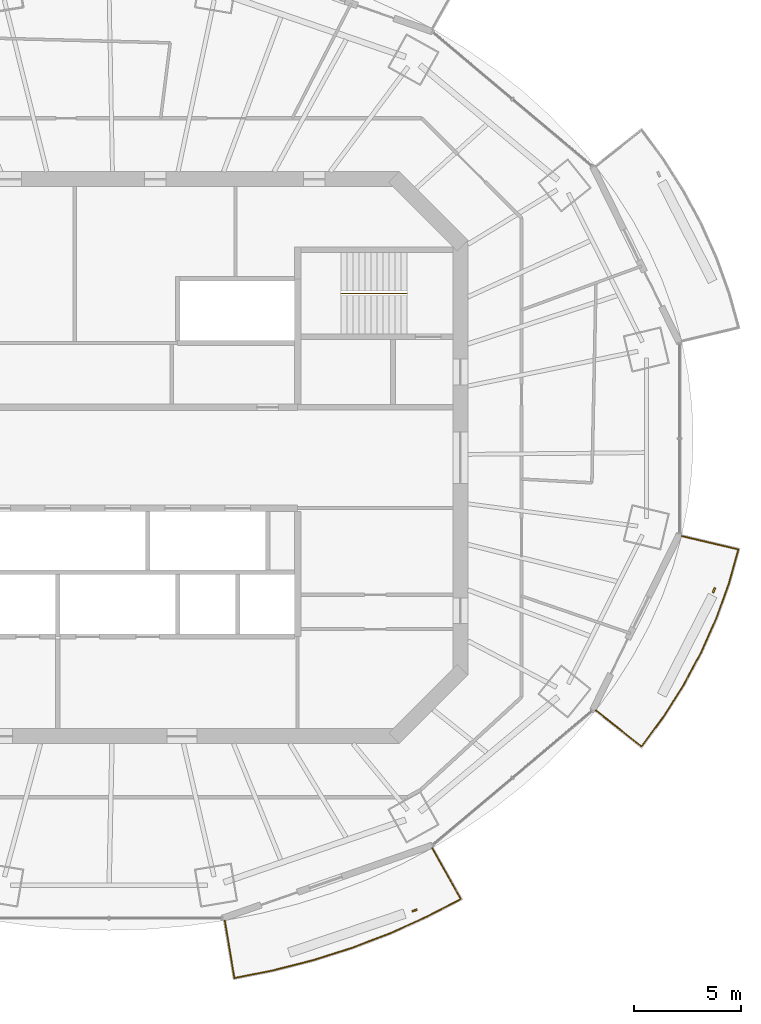
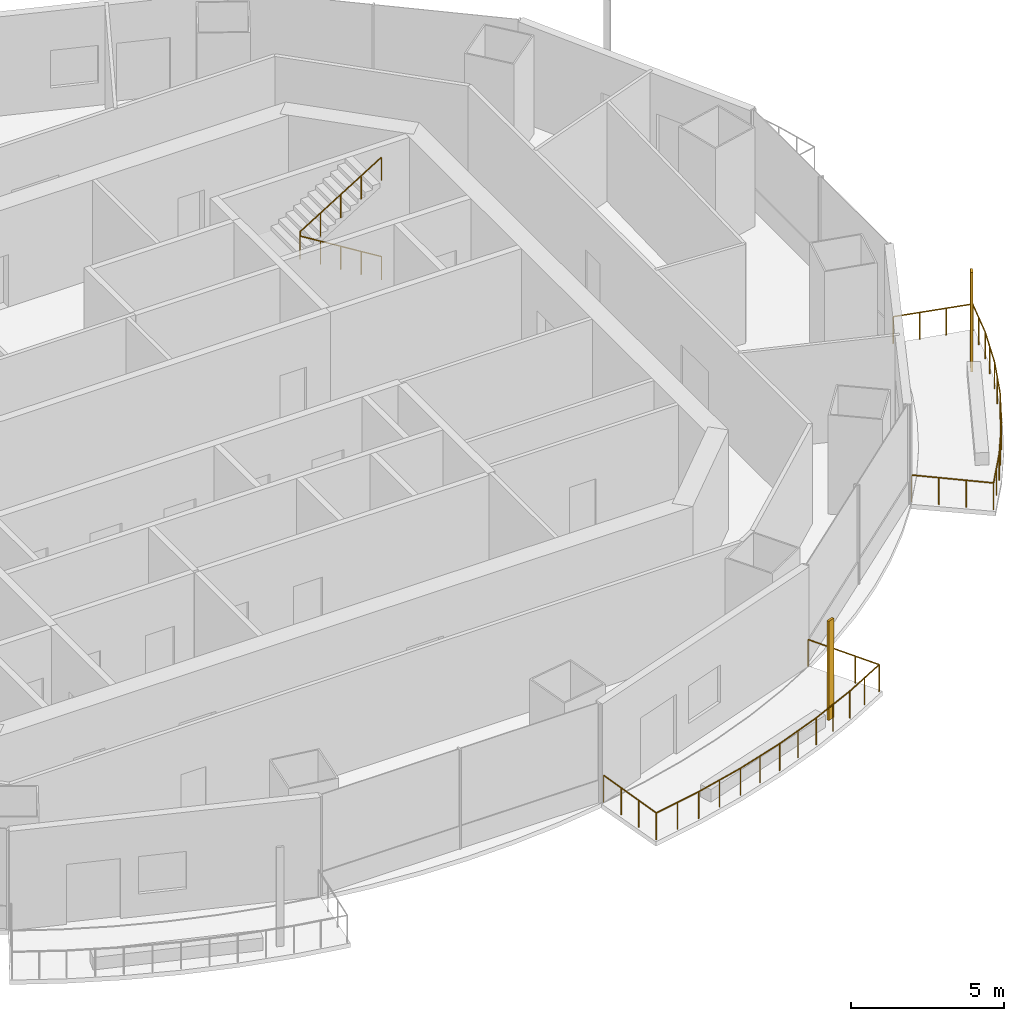
# One storey, part 13 of 16: 3 railings, 2 shading devices.
"""IFC4 building model written with IfcOpenShell, lengths in metres."""

from ifc_helpers import new_model, si_unit, direction, frame, origin, origin_2d, place, context, subcontext, project, spatial, rectangle, circle, extrude, material, material_profile, profile_set, type_object, element, save


model = new_model("IFC4")

# Units and contexts
model_context = context("Model", 3, precision=1e-05, world=origin(), true_north=direction((0.0, 1.0)))
body_context = subcontext(model_context, "Body", "Model", "MODEL_VIEW")
ifc_project = project(units=[si_unit("LENGTHUNIT", "METRE"), si_unit("AREAUNIT", "SQUARE_METRE"), si_unit("VOLUMEUNIT", "CUBIC_METRE"), si_unit("PLANEANGLEUNIT", "RADIAN"), si_unit("MASSUNIT", "GRAM", prefix="KILO")], contexts=[model_context])

# Site, building, storey
site_placement = place(None, origin())
site = spatial("IfcSite", under=ifc_project, at=site_placement, CompositionType="ELEMENT")
building_placement = place(site_placement, origin())
building = spatial("IfcBuilding", under=site, at=building_placement, Name="Marenthal Gate Tower", CompositionType="ELEMENT")
storey_placement = place(building_placement, frame((0.0, 0.0, 338.449951171875)))
storey = spatial("IfcBuildingStorey", under=building, at=storey_placement, Name="L76", CompositionType="ELEMENT", Elevation=338.449951171875)

# Railings
ifc_material_1 = material(Name="Stainless steel", Category="steel")
railing_type_1 = type_object("IfcRailingType", Name="Balcony guard 1100", PredefinedType="GUARDRAIL", material=ifc_material_1)
railing_1_placement = place(storey_placement, frame((14.68017578125, -18.2314453125, 0.0)))
element("IfcRailing", 1, at=railing_1_placement, inside=storey, type_object=railing_type_1, Name="Balcony guard L76 bay 13", PredefinedType="GUARDRAIL", context=body_context, shape_type="SweptSolid", body=[
    extrude(circle(Radius=0.02392578125, at=origin_2d()), frame((0.0, 0.0, 1.076171875), z_axis=(0.490672529522, -0.87121972637, -0.014719278369), x_axis=(0.871314119703, 0.490725692018, 0.0)), (0.0, 0.0, 1.0), 2.72021484375),
    extrude(circle(Radius=0.02392578125, at=origin_2d()), frame((1.334716796875, -2.369873046875, 1.0361328125), z_axis=(-0.886478038646, -0.462770663503, 0.0), x_axis=(0.462770663503, -0.886478038646, 0.0)), (0.0, 0.0, 1.0), 1.793701171875),
    extrude(circle(Radius=0.02392578125, at=origin_2d()), frame((-0.25537109375, -3.199951171875, 1.0361328125), z_axis=(-0.91188517307, -0.410445405792, 0.0), x_axis=(0.410445405792, -0.91188517307, 0.0)), (0.0, 0.0, 1.0), 1.88623046875),
    extrude(circle(Radius=0.02392578125, at=origin_2d()), frame((-1.975341796875, -3.97412109375, 1.0361328125), z_axis=(-0.934293977025, -0.356503526623, 0.0), x_axis=(0.356503526623, -0.934293977025, 0.0)), (0.0, 0.0, 1.0), 1.897705078125),
    extrude(circle(Radius=0.02392578125, at=origin_2d()), frame((-3.748291015625, -4.650634765625, 1.0361328125), z_axis=(-0.953251321023, -0.302178620963, 0.0), x_axis=(0.302178620963, -0.953251321023, 0.0)), (0.0, 0.0, 1.0), 1.907470703125),
    extrude(circle(Radius=0.02392578125, at=origin_2d()), frame((-5.566650390625, -5.22705078125, 1.0361328125), z_axis=(-0.968878064997, -0.247538472096, 0.0), x_axis=(0.247538472096, -0.968878064997, 0.0)), (0.0, 0.0, 1.0), 1.916259765625),
    extrude(circle(Radius=0.02392578125, at=origin_2d()), frame((-7.42333984375, -5.701416015625, 1.0361328125), z_axis=(-0.9810465399, -0.193772254337, 0.0), x_axis=(0.193772254337, -0.9810465399, 0.0)), (0.0, 0.0, 1.0), 1.84326171875),
    extrude(circle(Radius=0.02392578125, at=origin_2d()), frame((-9.231689453125, -6.05859375, 1.0361328125), z_axis=(-0.165327157968, 0.986128927578, 0.014719681817), x_axis=(-0.986235776742, -0.165345071517, 0.0)), (0.0, 0.0, 1.0), 2.72021484375),
    extrude(circle(Radius=0.02099609375, at=origin_2d()), origin(), (0.0, 0.0, 1.0), 1.052001953125),
    extrude(circle(Radius=0.02099609375, at=origin_2d()), frame((0.44482421875, -0.7900390625, -0.013427734375)), (0.0, 0.0, 1.0), 1.052001953125),
    extrude(circle(Radius=0.02099609375, at=origin_2d()), frame((0.889892578125, -1.579833984375, -0.026611328125)), (0.0, 0.0, 1.0), 1.052001953125),
    extrude(circle(Radius=0.02099609375, at=origin_2d()), frame((1.334716796875, -2.369873046875, -0.0400390625)), (0.0, 0.0, 1.0), 1.052001953125),
    extrude(circle(Radius=0.02099609375, at=origin_2d()), frame((0.53955078125, -2.784912109375, -0.0400390625)), (0.0, 0.0, 1.0), 1.052001953125),
    extrude(circle(Radius=0.02099609375, at=origin_2d()), frame((-0.25537109375, -3.199951171875, -0.0400390625)), (0.0, 0.0, 1.0), 1.052001953125),
    extrude(circle(Radius=0.02099609375, at=origin_2d()), frame((-1.115234375, -3.5869140625, -0.0400390625)), (0.0, 0.0, 1.0), 1.052001953125),
    extrude(circle(Radius=0.02099609375, at=origin_2d()), frame((-1.975341796875, -3.97412109375, -0.0400390625)), (0.0, 0.0, 1.0), 1.052001953125),
    extrude(circle(Radius=0.02099609375, at=origin_2d()), frame((-2.86181640625, -4.3125, -0.0400390625)), (0.0, 0.0, 1.0), 1.052001953125),
    extrude(circle(Radius=0.02099609375, at=origin_2d()), frame((-3.748291015625, -4.650634765625, -0.0400390625)), (0.0, 0.0, 1.0), 1.052001953125),
    extrude(circle(Radius=0.02099609375, at=origin_2d()), frame((-4.657470703125, -4.93896484375, -0.0400390625)), (0.0, 0.0, 1.0), 1.052001953125),
    extrude(circle(Radius=0.02099609375, at=origin_2d()), frame((-5.566650390625, -5.22705078125, -0.0400390625)), (0.0, 0.0, 1.0), 1.052001953125),
    extrude(circle(Radius=0.02099609375, at=origin_2d()), frame((-6.4951171875, -5.46435546875, -0.0400390625)), (0.0, 0.0, 1.0), 1.052001953125),
    extrude(circle(Radius=0.02099609375, at=origin_2d()), frame((-7.42333984375, -5.701416015625, -0.0400390625)), (0.0, 0.0, 1.0), 1.052001953125),
    extrude(circle(Radius=0.02099609375, at=origin_2d()), frame((-8.32763671875, -5.8798828125, -0.0400390625)), (0.0, 0.0, 1.0), 1.052001953125),
    extrude(circle(Radius=0.02099609375, at=origin_2d()), frame((-9.231689453125, -6.05859375, -0.0400390625)), (0.0, 0.0, 1.0), 1.052001953125),
    extrude(circle(Radius=0.02099609375, at=origin_2d()), frame((-9.381591796875, -5.16455078125, -0.026611328125)), (0.0, 0.0, 1.0), 1.052001953125),
    extrude(circle(Radius=0.02099609375, at=origin_2d()), frame((-9.531494140625, -4.270263671875, -0.013427734375)), (0.0, 0.0, 1.0), 1.052001953125),
    extrude(circle(Radius=0.02099609375, at=origin_2d()), frame((-9.681396484375, -3.376220703125, 0.0)), (0.0, 0.0, 1.0), 1.052001953125),
])
railing_2_placement = place(storey_placement, frame((26.32666015625, -3.657470703125, 0.0)))
element("IfcRailing", 2, at=railing_2_placement, inside=storey, type_object=railing_type_1, Name="Balcony guard L76 bay 15", PredefinedType="GUARDRAIL", context=body_context, shape_type="SweptSolid", body=[
    extrude(circle(Radius=0.02392578125, at=origin_2d()), frame((0.0, 0.0, 1.076171875), z_axis=(0.97315730439, -0.229669790827, -0.014718970573), x_axis=(0.229694673631, 0.973262737859, 0.0)), (0.0, 0.0, 1.0), 2.72021484375),
    extrude(circle(Radius=0.02392578125, at=origin_2d()), frame((2.647216796875, -0.624755859375, 1.0361328125), z_axis=(-0.268600452735, -0.963251678841, 0.0), x_axis=(0.963251678841, -0.268600452735, 0.0)), (0.0, 0.0, 1.0), 1.645263671875),
    extrude(circle(Radius=0.02392578125, at=origin_2d()), frame((2.205322265625, -2.20947265625, 1.0361328125), z_axis=(-0.338924060667, -0.940813733478, 0.0), x_axis=(0.940813733478, -0.338924060667, 0.0)), (0.0, 0.0, 1.0), 1.732421875),
    extrude(circle(Radius=0.02392578125, at=origin_2d()), frame((1.6181640625, -3.83935546875, 1.0361328125), z_axis=(-0.40786794588, -0.91304092938, 0.0), x_axis=(0.91304092938, -0.40786794588, 0.0)), (0.0, 0.0, 1.0), 1.7412109375),
    extrude(circle(Radius=0.02392578125, at=origin_2d()), frame((0.907958984375, -5.42919921875, 1.0361328125), z_axis=(-0.473825554, -0.880618728155, 0.0), x_axis=(0.880618728155, -0.473825554, 0.0)), (0.0, 0.0, 1.0), 1.751953125),
    extrude(circle(Radius=0.02392578125, at=origin_2d()), frame((0.077880859375, -6.971923828125, 1.0361328125), z_axis=(-0.53589847601, -0.844282431068, 0.0), x_axis=(0.844282431068, -0.53589847601, 0.0)), (0.0, 0.0, 1.0), 1.76318359375),
    extrude(circle(Radius=0.02392578125, at=origin_2d()), frame((-0.866943359375, -8.46044921875, 1.0361328125), z_axis=(-0.592673479354, -0.805442826569, 0.0), x_axis=(0.805442826569, -0.592673479354, 0.0)), (0.0, 0.0, 1.0), 1.69580078125),
    extrude(circle(Radius=0.02392578125, at=origin_2d()), frame((-1.8720703125, -9.826416015625, 1.0361328125), z_axis=(-0.783613159988, 0.621074684128, 0.014719111011), x_axis=(-0.621141973669, -0.783698059553, 0.0)), (0.0, 0.0, 1.0), 2.72021484375),
    extrude(circle(Radius=0.02099609375, at=origin_2d()), origin(), (0.0, 0.0, 1.0), 1.052001953125),
    extrude(circle(Radius=0.02099609375, at=origin_2d()), frame((0.88232421875, -0.208251953125, -0.013427734375)), (0.0, 0.0, 1.0), 1.052001953125),
    extrude(circle(Radius=0.02099609375, at=origin_2d()), frame((1.764892578125, -0.41650390625, -0.026611328125)), (0.0, 0.0, 1.0), 1.052001953125),
    extrude(circle(Radius=0.02099609375, at=origin_2d()), frame((2.647216796875, -0.624755859375, -0.0400390625)), (0.0, 0.0, 1.0), 1.052001953125),
    extrude(circle(Radius=0.02099609375, at=origin_2d()), frame((2.42626953125, -1.4169921875, -0.0400390625)), (0.0, 0.0, 1.0), 1.052001953125),
    extrude(circle(Radius=0.02099609375, at=origin_2d()), frame((2.205322265625, -2.20947265625, -0.0400390625)), (0.0, 0.0, 1.0), 1.052001953125),
    extrude(circle(Radius=0.02099609375, at=origin_2d()), frame((1.91162109375, -3.0244140625, -0.0400390625)), (0.0, 0.0, 1.0), 1.052001953125),
    extrude(circle(Radius=0.02099609375, at=origin_2d()), frame((1.6181640625, -3.83935546875, -0.0400390625)), (0.0, 0.0, 1.0), 1.052001953125),
    extrude(circle(Radius=0.02099609375, at=origin_2d()), frame((1.26318359375, -4.63427734375, -0.0400390625)), (0.0, 0.0, 1.0), 1.052001953125),
    extrude(circle(Radius=0.02099609375, at=origin_2d()), frame((0.907958984375, -5.42919921875, -0.0400390625)), (0.0, 0.0, 1.0), 1.052001953125),
    extrude(circle(Radius=0.02099609375, at=origin_2d()), frame((0.492919921875, -6.20068359375, -0.0400390625)), (0.0, 0.0, 1.0), 1.052001953125),
    extrude(circle(Radius=0.02099609375, at=origin_2d()), frame((0.077880859375, -6.971923828125, -0.0400390625)), (0.0, 0.0, 1.0), 1.052001953125),
    extrude(circle(Radius=0.02099609375, at=origin_2d()), frame((-0.39453125, -7.71630859375, -0.0400390625)), (0.0, 0.0, 1.0), 1.052001953125),
    extrude(circle(Radius=0.02099609375, at=origin_2d()), frame((-0.866943359375, -8.46044921875, -0.0400390625)), (0.0, 0.0, 1.0), 1.052001953125),
    extrude(circle(Radius=0.02099609375, at=origin_2d()), frame((-1.36962890625, -9.1435546875, -0.0400390625)), (0.0, 0.0, 1.0), 1.052001953125),
    extrude(circle(Radius=0.02099609375, at=origin_2d()), frame((-1.8720703125, -9.826416015625, -0.0400390625)), (0.0, 0.0, 1.0), 1.052001953125),
    extrude(circle(Radius=0.02099609375, at=origin_2d()), frame((-2.58251953125, -9.26318359375, -0.026611328125)), (0.0, 0.0, 1.0), 1.052001953125),
    extrude(circle(Radius=0.02099609375, at=origin_2d()), frame((-3.293212890625, -8.7001953125, -0.013427734375)), (0.0, 0.0, 1.0), 1.052001953125),
    extrude(circle(Radius=0.02099609375, at=origin_2d()), frame((-4.003662109375, -8.136962890625, 0.0)), (0.0, 0.0, 1.0), 1.052001953125),
])
ifc_material_2 = material(Name="Stainless steel", Category="steel")
railing_type_2 = type_object("IfcRailingType", Name="Stair handrail", PredefinedType="HANDRAIL", material=ifc_material_2)
railing_3_placement = place(storey_placement, frame((13.5, 7.675048828125, 0.1728515625)))
element("IfcRailing", 3, at=railing_3_placement, inside=storey, type_object=railing_type_2, Name="Handrail ST3", PredefinedType="HANDRAIL", context=body_context, shape_type="SweptSolid", body=[
    extrude(circle(Radius=0.0224609375, at=origin_2d()), frame((0.0, 0.0, 0.927490234375), z_axis=(-0.850835241893, 0.0, 0.525432575268), x_axis=(0.0, -1.0, 0.0)), (0.0, 0.0, 1.0), 3.6201171875),
    extrude(circle(Radius=0.0224609375, at=origin_2d()), frame((-3.080078125, 0.0, 2.82958984375), z_axis=(0.0, 0.0, 1.0), x_axis=(1.0, 0.0, 0.0)), (0.0, 0.0, 1.0), 0.173095703125),
    extrude(circle(Radius=0.0224609375, at=origin_2d()), frame((-3.080078125, 0.0, 3.002685546875), z_axis=(0.850835241893, 0.0, 0.525432575268), x_axis=(0.0, 1.0, 0.0)), (0.0, 0.0, 1.0), 3.6201171875),
    extrude(circle(Radius=0.02001953125, at=origin_2d()), origin(), (0.0, 0.0, 1.0), 0.905029296875),
    extrude(circle(Radius=0.02001953125, at=origin_2d()), frame((-0.77001953125, 0.0, 0.4755859375)), (0.0, 0.0, 1.0), 0.905029296875),
    extrude(circle(Radius=0.02001953125, at=origin_2d()), frame((-1.5400390625, 0.0, 0.951171875)), (0.0, 0.0, 1.0), 0.905029296875),
    extrude(circle(Radius=0.02001953125, at=origin_2d()), frame((-2.31005859375, 0.0, 1.426513671875)), (0.0, 0.0, 1.0), 0.905029296875),
    extrude(circle(Radius=0.02001953125, at=origin_2d()), frame((-3.080078125, 0.0, 1.902099609375)), (0.0, 0.0, 1.0), 0.905029296875),
    extrude(circle(Radius=0.02001953125, at=origin_2d()), frame((-3.080078125, 0.0, 2.0751953125)), (0.0, 0.0, 1.0), 0.905029296875),
    extrude(circle(Radius=0.02001953125, at=origin_2d()), frame((-2.31005859375, 0.0, 2.55078125)), (0.0, 0.0, 1.0), 0.905029296875),
    extrude(circle(Radius=0.02001953125, at=origin_2d()), frame((-1.5400390625, 0.0, 3.0263671875)), (0.0, 0.0, 1.0), 0.905029296875),
    extrude(circle(Radius=0.02001953125, at=origin_2d()), frame((-0.77001953125, 0.0, 3.501708984375)), (0.0, 0.0, 1.0), 0.905029296875),
    extrude(circle(Radius=0.02001953125, at=origin_2d()), frame((0.0, 0.0, 3.977294921875)), (0.0, 0.0, 1.0), 0.905029296875),
])

# Shading devices
ifc_material_3 = material(Name="Terracotta", Category="masonry")
ifc_material_profile = material_profile(ifc_material_3, rectangle(XDim=0.25, YDim=0.080078125, at=origin_2d()), Name="Terracotta baguette 250x80")
ifc_profile_set = profile_set([ifc_material_profile], Name="Terracotta")
shading_device_type = type_object("IfcShadingDeviceType", Name="Terracotta BAGUETTE SCREEN 250x80", PredefinedType="USERDEFINED", material=ifc_profile_set)
for number, where, z_axis, x_axis, name in (
    (4, (13.859130859375, -21.135498046875, -0.0400390625), (0.0, 0.0, 1.0), (0.944185799872, 0.329413380602, 0.0), "Terracotta BAGUETTE L76 bay 13R"),
    (5, (27.8369140625, -6.188720703125, -0.0400390625), (0.0, 0.0, 1.0), (0.441297921184, 0.897360654787, 0.0), "Terracotta BAGUETTE L76 bay 15R"),
):
    element("IfcShadingDevice", number, at=place(storey_placement, frame(where, z_axis=z_axis, x_axis=x_axis)), inside=storey, type_object=shading_device_type, Name=name, ObjectType="BAGUETTE SCREEN", PredefinedType="USERDEFINED", context=body_context, shape_type="SweptSolid", body=[
        extrude(rectangle(XDim=0.25, YDim=0.080078125, at=origin_2d()), origin(), (0.0, 0.0, 1.0), 3.969970703125),
    ])

save(model, "model.ifc")
